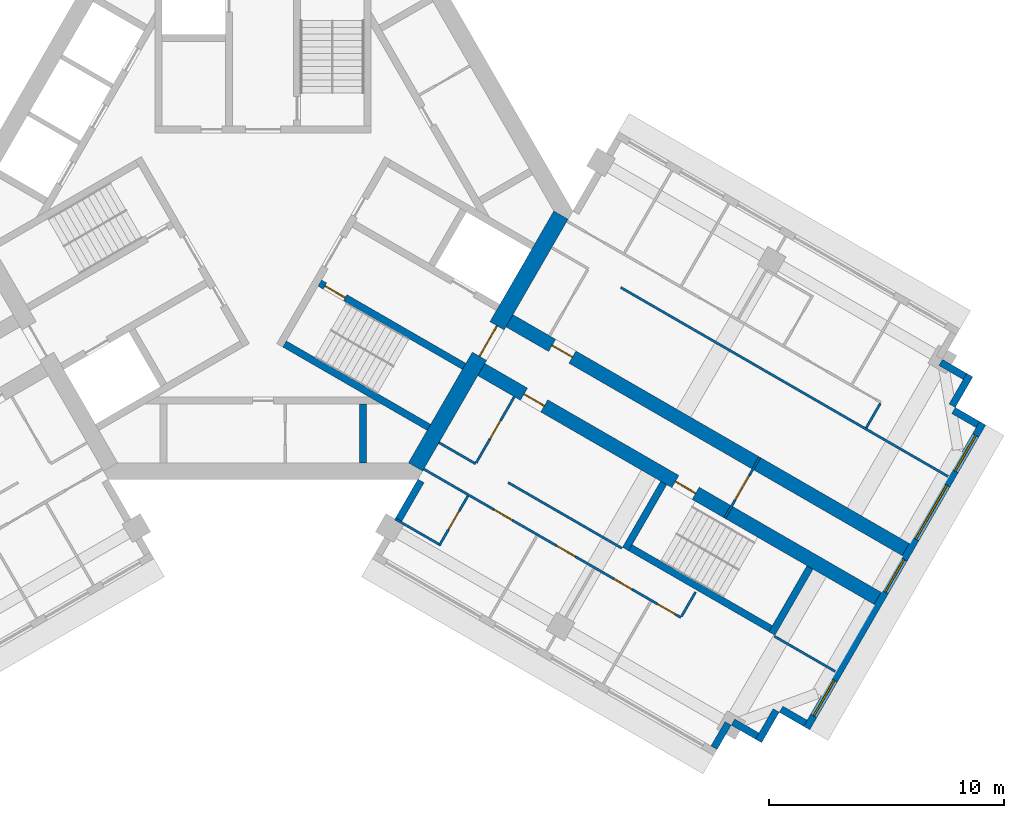
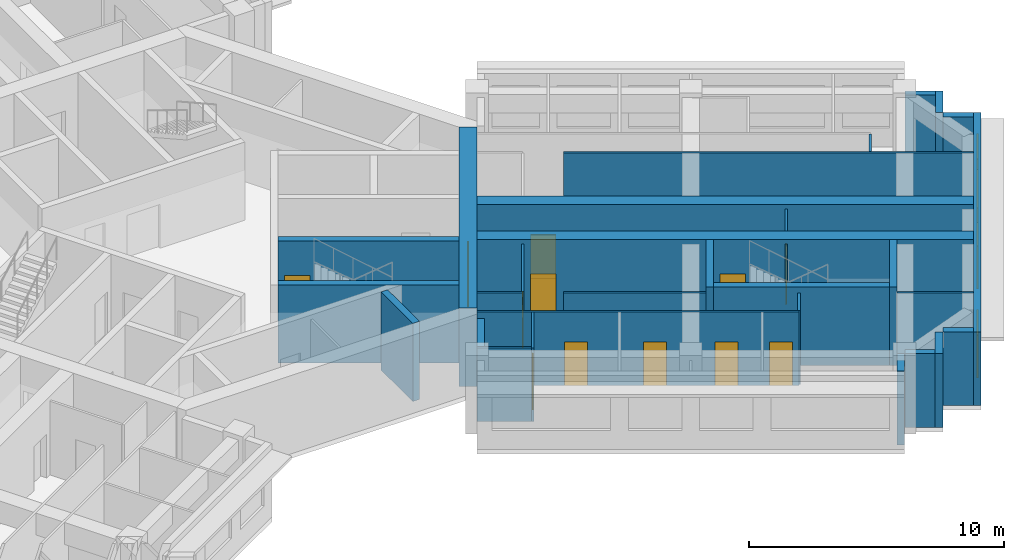
# One storey, part 5 of 10: 29 walls, 12 doors, 4 windows, 16 openings.
"""IFC4 building model written with IfcOpenShell, lengths in metres."""

from ifc_helpers import new_model, si_unit, direction, frame, frame_2d, origin, place, context, subcontext, project, spatial, rectangle, extrude, material, layer, layer_set, type_object, element, fill, save


model = new_model("IFC4")

# Units and contexts
model_context = context("Model", 3, precision=1e-05, world=origin(), true_north=direction((0.0, 1.0)))
body_context = subcontext(model_context, "Body", "Model", "MODEL_VIEW")
ifc_project = project(units=[si_unit("LENGTHUNIT", "METRE"), si_unit("AREAUNIT", "SQUARE_METRE"), si_unit("VOLUMEUNIT", "CUBIC_METRE"), si_unit("PLANEANGLEUNIT", "RADIAN"), si_unit("MASSUNIT", "GRAM", prefix="KILO")], contexts=[model_context])

# Site, building, storey
site_placement = place(None, origin())
site = spatial("IfcSite", under=ifc_project, at=site_placement, CompositionType="ELEMENT")
building_placement = place(site_placement, origin())
building = spatial("IfcBuilding", under=site, at=building_placement, Name="Impinga Residences", CompositionType="ELEMENT")
storey_placement = place(building_placement, frame((0.0, 0.0, 267.25)))
storey = spatial("IfcBuildingStorey", under=building, at=storey_placement, Name="L67", CompositionType="ELEMENT", Elevation=267.25)

# Wall, opening, door
ifc_material_1 = material(Name="Concrete C60/75", Category="concrete")
ifc_layer_1 = layer(ifc_material_1, 0.60009765625)
ifc_layer_set_1 = layer_set([ifc_layer_1], Name="Concrete C60/75")
wall_type_1 = type_object("IfcWallType", Name="BW3 corridor buttress wall, L46 to L73 600", PredefinedType="SHEAR", material=ifc_layer_set_1)
wall_1_placement = place(storey_placement, frame((10.19677734375, -4.50146484375, 0.0), z_axis=(0.0, 0.0, 1.0), x_axis=(0.866025214745, -0.500000327426, 0.0)))
wall_1 = element("IfcWall", 1, at=wall_1_placement, inside=storey, type_object=wall_type_1, Name="Corridor wall BW3 EC L67", PredefinedType="SHEAR", context=body_context, shape_type="SweptSolid", body=[
    extrude(rectangle(XDim=19.85009765625, YDim=0.60009765625, at=frame_2d((9.925048828125, 0.0))), origin(), (0.0, 0.0, 1.0), 3.75),
])
opening_1_placement = place(wall_1_placement, frame((2.449951171875, 0.0, 0.0)))
opening_1 = element("IfcOpeningElement", 2, at=opening_1_placement, cuts=wall_1, Name="Opening D1", PredefinedType="OPENING", context=body_context, shape_type="SweptSolid", body=[
    extrude(rectangle(XDim=1.0, YDim=2.10009765625, at=frame_2d((0.5, 1.050048828125))), frame((0.0, 0.31005859375, 0.0), z_axis=(0.0, -1.0, 0.0), x_axis=(1.0, 0.0, 0.0)), (0.0, 0.0, 1.0), 0.6201171875),
])
ifc_material_2 = material(Name="Timber door set", Category="wood")
door_type_1 = type_object("IfcDoorType", Name="D1 apartment entrance door 1000x2100", OperationType="SINGLE_SWING_LEFT", PredefinedType="DOOR", material=ifc_material_2)
door_1_placement = place(opening_1_placement, origin())
door_1 = element("IfcDoor", 3, at=door_1_placement, inside=storey, type_object=door_type_1, Name="Apartment L67-EA1 entrance", OperationType="SINGLE_SWING_LEFT", OverallHeight=2.10009765625, OverallWidth=1.0, PredefinedType="DOOR", context=body_context, shape_type="SweptSolid", body=[
    extrude(rectangle(XDim=1.0, YDim=2.10009765625, at=frame_2d((0.5, 1.050048828125))), frame((0.0, 0.02490234375, 0.0), z_axis=(0.0, -1.0, 0.0), x_axis=(1.0, 0.0, 0.0)), (0.0, 0.0, 1.0), 0.050048828125),
])
fill(opening_1, door_1)

# Wall, openings, doors
wall_2_placement = place(storey_placement, frame((8.996826171875, -6.580078125, 0.0), z_axis=(0.0, 0.0, 1.0), x_axis=(0.866030540451, -0.499991102927, 0.0)))
wall_2 = element("IfcWall", 4, at=wall_2_placement, inside=storey, type_object=wall_type_1, Name="Corridor wall BW3 ED L67", PredefinedType="SHEAR", context=body_context, shape_type="SweptSolid", body=[
    extrude(rectangle(XDim=19.849853515625, YDim=0.60009765625, at=frame_2d((9.9248046875, 0.0))), origin(), (0.0, 0.0, 1.0), 3.75),
])
opening_2_placement = place(wall_2_placement, frame((9.89990234375, 0.0, 0.0)))
opening_2 = element("IfcOpeningElement", 5, at=opening_2_placement, cuts=wall_2, Name="Opening D5", PredefinedType="OPENING", context=body_context, shape_type="SweptSolid", body=[
    extrude(rectangle(XDim=1.0, YDim=2.10009765625, at=frame_2d((0.5, 1.050048828125))), frame((0.0, 0.31005859375, 0.0), z_axis=(0.0, -1.0, 0.0), x_axis=(1.0, 0.0, 0.0)), (0.0, 0.0, 1.0), 0.6201171875),
])
opening_3_placement = place(wall_2_placement, frame((2.449951171875, 0.0, 0.0)))
opening_3 = element("IfcOpeningElement", 6, at=opening_3_placement, cuts=wall_2, Name="Opening D1", PredefinedType="OPENING", context=body_context, shape_type="SweptSolid", body=[
    extrude(rectangle(XDim=1.0, YDim=2.10009765625, at=frame_2d((0.5, 1.050048828125))), frame((0.0, 0.31005859375, 0.0), z_axis=(0.0, -1.0, 0.0), x_axis=(1.0, 0.0, 0.0)), (0.0, 0.0, 1.0), 0.6201171875),
])
door_2_placement = place(opening_3_placement, origin())
door_2 = element("IfcDoor", 7, at=door_2_placement, inside=storey, type_object=door_type_1, Name="Apartment L67-EF1 entrance", OperationType="SINGLE_SWING_LEFT", OverallHeight=2.10009765625, OverallWidth=1.0, PredefinedType="DOOR", context=body_context, shape_type="SweptSolid", body=[
    extrude(rectangle(XDim=1.0, YDim=2.10009765625, at=frame_2d((0.5, 1.050048828125))), frame((0.0, 0.02490234375, 0.0), z_axis=(0.0, -1.0, 0.0), x_axis=(1.0, 0.0, 0.0)), (0.0, 0.0, 1.0), 0.050048828125),
])
fill(opening_3, door_2)
door_type_2 = type_object("IfcDoorType", Name="D5 stair door 1000x2100", OperationType="SINGLE_SWING_LEFT", PredefinedType="DOOR", material=ifc_material_2)
door_3_placement = place(opening_2_placement, origin())
door_3 = element("IfcDoor", 8, at=door_3_placement, inside=storey, type_object=door_type_2, Name="Wing stair door E", OperationType="SINGLE_SWING_RIGHT", OverallHeight=2.10009765625, OverallWidth=1.0, PredefinedType="DOOR", context=body_context, shape_type="SweptSolid", body=[
    extrude(rectangle(XDim=1.0, YDim=2.10009765625, at=frame_2d((0.5, 1.050048828125))), frame((0.0, 0.02490234375, 0.0), z_axis=(0.0, -1.0, 0.0), x_axis=(1.0, 0.0, 0.0)), (0.0, 0.0, 1.0), 0.050048828125),
])
fill(opening_2, door_3)

# Wall, opening, door
ifc_material_3 = material(Name="Concrete blockwork", Category="masonry")
ifc_layer_2 = layer(ifc_material_3, 0.10009765625)
ifc_layer_set_2 = layer_set([ifc_layer_2], Name="CP1 core room partition, blockwork 100")
wall_type_2 = type_object("IfcWallType", Name="CP1 core room partition, blockwork 100", PredefinedType="PARTITIONING", material=ifc_layer_set_2)
wall_3_placement = place(storey_placement, frame((21.172119140625, -10.49169921875, 0.0), z_axis=(0.0, 0.0, 1.0), x_axis=(-0.499990139034, -0.866031096941, 0.0)))
wall_3 = element("IfcWall", 9, at=wall_3_placement, inside=storey, type_object=wall_type_2, Name="Core room partition, blockwork L67:E:LNG", PredefinedType="PARTITIONING", context=body_context, shape_type="SweptSolid", body=[
    extrude(rectangle(XDim=3.0, YDim=0.10009765625, at=frame_2d((1.5, 0.0))), origin(), (0.0, 0.0, 1.0), 3.530029296875),
])
opening_4_placement = place(wall_3_placement, frame((0.89990234375, 0.0, 0.0)))
opening_4 = element("IfcOpeningElement", 10, at=opening_4_placement, cuts=wall_3, Name="Opening D3", PredefinedType="OPENING", context=body_context, shape_type="SweptSolid", body=[
    extrude(rectangle(XDim=1.199951171875, YDim=2.10009765625, at=frame_2d((0.60009765625, 1.050048828125))), frame((0.0, 0.06005859375, 0.0), z_axis=(0.0, -1.0, 0.0), x_axis=(1.0, 0.0, 0.0)), (0.0, 0.0, 1.0), 0.1201171875),
])
door_type_3 = type_object("IfcDoorType", Name="D3 room door, leaf and a half 1200x2100", OperationType="DOUBLE_SWING_LEFT", PredefinedType="DOOR", material=ifc_material_2)
door_4_placement = place(opening_4_placement, origin())
door_4 = element("IfcDoor", 11, at=door_4_placement, inside=storey, type_object=door_type_3, Name="Residents' lounge door E", OperationType="DOUBLE_SWING_LEFT", OverallHeight=2.10009765625, OverallWidth=1.199951171875, PredefinedType="DOOR", context=body_context, shape_type="SweptSolid", body=[
    extrude(rectangle(XDim=1.199951171875, YDim=2.10009765625, at=frame_2d((0.60009765625, 1.050048828125))), frame((0.0, 0.02490234375, 0.0), z_axis=(0.0, -1.0, 0.0), x_axis=(1.0, 0.0, 0.0)), (0.0, 0.0, 1.0), 0.050048828125),
])
fill(opening_4, door_4)

# Walls
ifc_material_4 = material(Name="Terracotta rainscreen on blockwork", Category="masonry")
ifc_layer_3 = layer(ifc_material_4, 0.300048828125)
ifc_layer_set_3 = layer_set([ifc_layer_3], Name="EW1 external wall, terracotta rainscreen on blockwork 300")
wall_type_3 = type_object("IfcWallType", Name="EW1 external wall, terracotta rainscreen on blockwork 300", PredefinedType="SOLIDWALL", material=ifc_layer_set_3)
wall_4_placement = place(storey_placement, frame((28.878662109375, -6.453857421875, 0.0), z_axis=(0.0, 0.0, 1.0), x_axis=(0.865971243484, -0.500093796661, 0.0)))
element("IfcWall", 12, at=wall_4_placement, inside=storey, type_object=wall_type_3, Name="External wall EW1 L67", PredefinedType="SOLIDWALL", context=body_context, shape_type="SweptSolid", body=[
    extrude(rectangle(XDim=1.195068359375, YDim=0.300048828125, at=frame_2d((0.59765625, 0.0))), origin(), (0.0, 0.0, 1.0), 3.530029296875),
])
wall_5_placement = place(storey_placement, frame((30.118408203125, -6.99658203125, 0.0), z_axis=(0.0, 0.0, 1.0), x_axis=(-0.499990139034, -0.866031096941, 0.0)))
element("IfcWall", 13, at=wall_5_placement, inside=storey, type_object=wall_type_3, Name="External wall EW1 L67", PredefinedType="SOLIDWALL", context=body_context, shape_type="SweptSolid", body=[
    extrude(rectangle(XDim=1.5, YDim=0.300048828125, at=frame_2d((0.75, 0.0))), origin(), (0.0, 0.0, 1.0), 3.530029296875),
])
wall_6_placement = place(storey_placement, frame((29.427490234375, -8.5029296875, 0.0), z_axis=(0.0, 0.0, 1.0), x_axis=(0.865971243484, -0.500093796661, 0.0)))
element("IfcWall", 14, at=wall_6_placement, inside=storey, type_object=wall_type_3, Name="External wall EW1 L67", PredefinedType="SOLIDWALL", context=body_context, shape_type="SweptSolid", body=[
    extrude(rectangle(XDim=1.195068359375, YDim=0.300048828125, at=frame_2d((0.59765625, 0.0))), origin(), (0.0, 0.0, 1.0), 3.530029296875),
])

# Wall, openings, windows
wall_7_placement = place(storey_placement, frame((30.66748046875, -9.045654296875, 0.0), z_axis=(0.0, 0.0, 1.0), x_axis=(-0.500004234368, -0.866022959057, 0.0)))
wall_7 = element("IfcWall", 15, at=wall_7_placement, inside=storey, type_object=wall_type_3, Name="External wall EW1 L67", PredefinedType="SOLIDWALL", context=body_context, shape_type="SweptSolid", body=[
    extrude(rectangle(XDim=14.999755859375, YDim=0.300048828125, at=frame_2d((7.5, 0.0))), origin(), (0.0, 0.0, 1.0), 3.530029296875),
])
opening_5_placement = place(wall_7_placement, frame((0.60009765625, 0.0, 0.89990234375)))
opening_5 = element("IfcOpeningElement", 16, at=opening_5_placement, cuts=wall_7, Name="Opening W1", PredefinedType="OPENING", context=body_context, shape_type="SweptSolid", body=[
    extrude(rectangle(XDim=1.75, YDim=2.050048828125, at=frame_2d((0.875, 1.02490234375))), frame((0.0, 0.159912109375, 0.0), z_axis=(0.0, -1.0, 0.0), x_axis=(1.0, 0.0, 0.0)), (0.0, 0.0, 1.0), 0.320068359375),
])
opening_6_placement = place(wall_7_placement, frame((3.050048828125, 0.0, 0.89990234375)))
opening_6 = element("IfcOpeningElement", 17, at=opening_6_placement, cuts=wall_7, Name="Opening W18", PredefinedType="OPENING", context=body_context, shape_type="SweptSolid", body=[
    extrude(rectangle(XDim=2.64990234375, YDim=2.050048828125, at=frame_2d((1.324951171875, 1.02490234375))), frame((0.0, 0.159912109375, 0.0), z_axis=(0.0, -1.0, 0.0), x_axis=(1.0, 0.0, 0.0)), (0.0, 0.0, 1.0), 0.320068359375),
])
opening_7_placement = place(wall_7_placement, frame((6.699951171875, 0.0, 0.89990234375)))
opening_7 = element("IfcOpeningElement", 18, at=opening_7_placement, cuts=wall_7, Name="Opening W19", PredefinedType="OPENING", context=body_context, shape_type="SweptSolid", body=[
    extrude(rectangle(XDim=1.60009765625, YDim=2.050048828125, at=frame_2d((0.800048828125, 1.02490234375))), frame((0.0, 0.159912109375, 0.0), z_axis=(0.0, -1.0, 0.0), x_axis=(1.0, 0.0, 0.0)), (0.0, 0.0, 1.0), 0.320068359375),
])
opening_8_placement = place(wall_7_placement, frame((12.64990234375, 0.0, 0.89990234375)))
opening_8 = element("IfcOpeningElement", 19, at=opening_8_placement, cuts=wall_7, Name="Opening W1", PredefinedType="OPENING", context=body_context, shape_type="SweptSolid", body=[
    extrude(rectangle(XDim=1.75, YDim=2.050048828125, at=frame_2d((0.875, 1.02490234375))), frame((0.0, 0.159912109375, 0.0), z_axis=(0.0, -1.0, 0.0), x_axis=(1.0, 0.0, 0.0)), (0.0, 0.0, 1.0), 0.320068359375),
])
ifc_material_5 = material(Name="Aluminium window, clear double glazing", Category="aluminium")
window_type_1 = type_object("IfcWindowType", Name="W1 ribbon window 1750x2050", PartitioningType="SINGLE_PANEL", PredefinedType="WINDOW", material=ifc_material_5)
window_1_placement = place(opening_5_placement, origin())
window_1 = element("IfcWindow", 20, at=window_1_placement, inside=storey, type_object=window_type_1, Name="Window L67", OverallHeight=2.050048828125, OverallWidth=1.75, PartitioningType="SINGLE_PANEL", PredefinedType="WINDOW", context=body_context, shape_type="SweptSolid", body=[
    extrude(rectangle(XDim=1.75, YDim=2.050048828125, at=frame_2d((0.875, 1.02490234375))), frame((0.0, 0.030029296875, 0.0), z_axis=(0.0, -1.0, 0.0), x_axis=(1.0, 0.0, 0.0)), (0.0, 0.0, 1.0), 0.06005859375),
])
fill(opening_5, window_1)
window_2_placement = place(opening_8_placement, origin())
window_2 = element("IfcWindow", 21, at=window_2_placement, inside=storey, type_object=window_type_1, Name="Window L67", OverallHeight=2.050048828125, OverallWidth=1.75, PartitioningType="SINGLE_PANEL", PredefinedType="WINDOW", context=body_context, shape_type="SweptSolid", body=[
    extrude(rectangle(XDim=1.75, YDim=2.050048828125, at=frame_2d((0.875, 1.02490234375))), frame((0.0, 0.030029296875, 0.0), z_axis=(0.0, -1.0, 0.0), x_axis=(1.0, 0.0, 0.0)), (0.0, 0.0, 1.0), 0.06005859375),
])
fill(opening_8, window_2)
window_type_2 = type_object("IfcWindowType", Name="W18 ribbon window 2650x2050", PartitioningType="SINGLE_PANEL", PredefinedType="WINDOW", material=ifc_material_5)
window_3_placement = place(opening_6_placement, origin())
window_3 = element("IfcWindow", 22, at=window_3_placement, inside=storey, type_object=window_type_2, Name="Window L67", OverallHeight=2.050048828125, OverallWidth=2.64990234375, PartitioningType="SINGLE_PANEL", PredefinedType="WINDOW", context=body_context, shape_type="SweptSolid", body=[
    extrude(rectangle(XDim=2.64990234375, YDim=2.050048828125, at=frame_2d((1.324951171875, 1.02490234375))), frame((0.0, 0.030029296875, 0.0), z_axis=(0.0, -1.0, 0.0), x_axis=(1.0, 0.0, 0.0)), (0.0, 0.0, 1.0), 0.06005859375),
])
fill(opening_6, window_3)
window_type_3 = type_object("IfcWindowType", Name="W19 ribbon window 1600x2050", PartitioningType="SINGLE_PANEL", PredefinedType="WINDOW", material=ifc_material_5)
window_4_placement = place(opening_7_placement, origin())
window_4 = element("IfcWindow", 23, at=window_4_placement, inside=storey, type_object=window_type_3, Name="Window L67", OverallHeight=2.050048828125, OverallWidth=1.60009765625, PartitioningType="SINGLE_PANEL", PredefinedType="WINDOW", context=body_context, shape_type="SweptSolid", body=[
    extrude(rectangle(XDim=1.60009765625, YDim=2.050048828125, at=frame_2d((0.800048828125, 1.02490234375))), frame((0.0, 0.030029296875, 0.0), z_axis=(0.0, -1.0, 0.0), x_axis=(1.0, 0.0, 0.0)), (0.0, 0.0, 1.0), 0.06005859375),
])
fill(opening_7, window_4)

# Walls
wall_8_placement = place(storey_placement, frame((23.112548828125, -21.8310546875, 0.0), z_axis=(0.0, 0.0, 1.0), x_axis=(-0.866059708757, 0.499940577336, 0.0)))
element("IfcWall", 24, at=wall_8_placement, inside=storey, type_object=wall_type_3, Name="External wall EW1 L67", PredefinedType="SOLIDWALL", context=body_context, shape_type="SweptSolid", body=[
    extrude(rectangle(XDim=1.195068359375, YDim=0.300048828125, at=frame_2d((0.59765625, 0.0))), origin(), (0.0, 0.0, 1.0), 3.530029296875),
])
wall_9_placement = place(storey_placement, frame((21.868408203125, -21.285888671875, 0.0), z_axis=(0.0, 0.0, 1.0), x_axis=(-0.499990139034, -0.866031096941, 0.0)))
element("IfcWall", 25, at=wall_9_placement, inside=storey, type_object=wall_type_3, Name="External wall EW1 L67", PredefinedType="SOLIDWALL", context=body_context, shape_type="SweptSolid", body=[
    extrude(rectangle(XDim=1.5, YDim=0.300048828125, at=frame_2d((0.75, 0.0))), origin(), (0.0, 0.0, 1.0), 3.530029296875),
])
wall_10_placement = place(storey_placement, frame((21.0634765625, -22.380126953125, 0.0), z_axis=(0.0, 0.0, 1.0), x_axis=(-0.865971243484, 0.500093796661, 0.0)))
element("IfcWall", 26, at=wall_10_placement, inside=storey, type_object=wall_type_3, Name="External wall EW1 L67", PredefinedType="SOLIDWALL", context=body_context, shape_type="SweptSolid", body=[
    extrude(rectangle(XDim=1.195068359375, YDim=0.300048828125, at=frame_2d((0.59765625, 0.0))), origin(), (0.0, 0.0, 1.0), 3.530029296875),
])
wall_11_placement = place(storey_placement, frame((19.8193359375, -21.8349609375, 0.0), z_axis=(0.0, 0.0, 1.0), x_axis=(-0.500033551112, -0.866006032174, 0.0)))
element("IfcWall", 27, at=wall_11_placement, inside=storey, type_object=wall_type_3, Name="External wall EW1 L67", PredefinedType="SOLIDWALL", context=body_context, shape_type="SweptSolid", body=[
    extrude(rectangle(XDim=1.2001953125, YDim=0.300048828125, at=frame_2d((0.60009765625, 0.0))), origin(), (0.0, 0.0, 1.0), 3.530029296875),
])
wall_12_placement = place(storey_placement, frame((5.7548828125, -13.1953125, 0.0), z_axis=(0.0, 0.0, 1.0), x_axis=(0.500043961785, 0.866000020948, 0.0)))
element("IfcWall", 28, at=wall_12_placement, inside=storey, type_object=wall_type_3, Name="External wall EW1 L67", PredefinedType="SOLIDWALL", context=body_context, shape_type="SweptSolid", body=[
    extrude(rectangle(XDim=1.949951171875, YDim=0.300048828125, at=frame_2d((0.97509765625, 0.0))), origin(), (0.0, 0.0, 1.0), 3.530029296875),
])
ifc_material_6 = material(Name="Gypsum board on steel studs", Category="steel")
ifc_layer_4 = layer(ifc_material_6, 0.10009765625)
ifc_layer_set_4 = layer_set([ifc_layer_4], Name="Gypsum board on steel studs")
wall_type_4 = type_object("IfcWallType", Name="IP1 partition 100", PredefinedType="PARTITIONING", material=ifc_layer_set_4)
wall_13_placement = place(storey_placement, frame((15.244384765625, -3.2587890625, 0.0), z_axis=(0.0, 0.0, 1.0), x_axis=(0.866025740127, -0.499999417437, 0.0)))
element("IfcWall", 29, at=wall_13_placement, inside=storey, type_object=wall_type_4, Name="Partition L67-EA1:DIV1", PredefinedType="PARTITIONING", context=body_context, shape_type="SweptSolid", body=[
    extrude(rectangle(XDim=16.10009765625, YDim=0.10009765625, at=frame_2d((8.050048828125, 0.0))), origin(), (0.0, 0.0, 1.0), 3.530029296875),
])
wall_14_placement = place(storey_placement, frame((25.705078125, -9.240478515625, 0.0), z_axis=(0.0, 0.0, 1.0), x_axis=(0.50012165622, 0.865955154139, 0.0)))
element("IfcWall", 30, at=wall_14_placement, inside=storey, type_object=wall_type_4, Name="Partition L67-EA1:SE1", PredefinedType="PARTITIONING", context=body_context, shape_type="SweptSolid", body=[
    extrude(rectangle(XDim=1.199951171875, YDim=0.10009765625, at=frame_2d((0.60009765625, 0.0))), origin(), (0.0, 0.0, 1.0), 3.530029296875),
])
wall_15_placement = place(storey_placement, frame((7.5, -9.872802734375, 0.0), z_axis=(0.0, 0.0, 1.0), x_axis=(0.866047807691, -0.499961193289, 0.0)))
element("IfcWall", 31, at=wall_15_placement, inside=storey, type_object=wall_type_4, Name="Partition L67-EF1:DIV0", PredefinedType="PARTITIONING", context=body_context, shape_type="SweptSolid", body=[
    extrude(rectangle(XDim=1.800048828125, YDim=0.10009765625, at=frame_2d((0.89990234375, 0.0))), origin(), (0.0, 0.0, 1.0), 3.530029296875),
])
wall_16_placement = place(storey_placement, frame((10.444580078125, -11.57275390625, 0.0), z_axis=(0.0, 0.0, 1.0), x_axis=(0.866015695474, -0.500016814911, 0.0)))
element("IfcWall", 32, at=wall_16_placement, inside=storey, type_object=wall_type_4, Name="Partition L67-EF1:DIV1", PredefinedType="PARTITIONING", context=body_context, shape_type="SweptSolid", body=[
    extrude(rectangle(XDim=5.599853515625, YDim=0.10009765625, at=frame_2d((2.7998046875, 0.0))), origin(), (0.0, 0.0, 1.0), 3.530029296875),
])
wall_17_placement = place(storey_placement, frame((21.789306640625, -18.122802734375, 0.0), z_axis=(0.0, 0.0, 1.0), x_axis=(0.866031096941, -0.499990139034, 0.0)))
element("IfcWall", 33, at=wall_17_placement, inside=storey, type_object=wall_type_4, Name="Partition L67-EF1:DIV2", PredefinedType="PARTITIONING", context=body_context, shape_type="SweptSolid", body=[
    extrude(rectangle(XDim=3.0, YDim=0.10009765625, at=frame_2d((1.5, 0.0))), origin(), (0.0, 0.0, 1.0), 3.530029296875),
])

# Wall, openings, doors
wall_18_placement = place(storey_placement, frame((6.85009765625, -10.99853515625, 0.0), z_axis=(0.0, 0.0, 1.0), x_axis=(0.866024244478, -0.500002007972, 0.0)))
wall_18 = element("IfcWall", 34, at=wall_18_placement, inside=storey, type_object=wall_type_4, Name="Partition L67-EF1:STRIP", PredefinedType="PARTITIONING", context=body_context, shape_type="SweptSolid", body=[
    extrude(rectangle(XDim=12.64990234375, YDim=0.10009765625, at=frame_2d((6.324951171875, 0.0))), origin(), (0.0, 0.0, 1.0), 3.530029296875),
])
opening_9_placement = place(wall_18_placement, frame((3.449951171875, 0.0, 0.0)))
opening_9 = element("IfcOpeningElement", 35, at=opening_9_placement, cuts=wall_18, Name="Opening D2", PredefinedType="OPENING", context=body_context, shape_type="SweptSolid", body=[
    extrude(rectangle(XDim=0.89990234375, YDim=2.10009765625, at=frame_2d((0.449951171875, 1.050048828125))), frame((0.0, 0.06005859375, 0.0), z_axis=(0.0, -1.0, 0.0), x_axis=(1.0, 0.0, 0.0)), (0.0, 0.0, 1.0), 0.1201171875),
])
opening_10_placement = place(wall_18_placement, frame((6.550048828125, 0.0, 0.0)))
opening_10 = element("IfcOpeningElement", 36, at=opening_10_placement, cuts=wall_18, Name="Opening D2", PredefinedType="OPENING", context=body_context, shape_type="SweptSolid", body=[
    extrude(rectangle(XDim=0.89990234375, YDim=2.10009765625, at=frame_2d((0.449951171875, 1.050048828125))), frame((0.0, 0.06005859375, 0.0), z_axis=(0.0, -1.0, 0.0), x_axis=(1.0, 0.0, 0.0)), (0.0, 0.0, 1.0), 0.1201171875),
])
opening_11_placement = place(wall_18_placement, frame((9.35009765625, 0.0, 0.0)))
opening_11 = element("IfcOpeningElement", 37, at=opening_11_placement, cuts=wall_18, Name="Opening D2", PredefinedType="OPENING", context=body_context, shape_type="SweptSolid", body=[
    extrude(rectangle(XDim=0.89990234375, YDim=2.10009765625, at=frame_2d((0.449951171875, 1.050048828125))), frame((0.0, 0.06005859375, 0.0), z_axis=(0.0, -1.0, 0.0), x_axis=(1.0, 0.0, 0.0)), (0.0, 0.0, 1.0), 0.1201171875),
])
opening_12_placement = place(wall_18_placement, frame((11.5, 0.0, 0.0)))
opening_12 = element("IfcOpeningElement", 38, at=opening_12_placement, cuts=wall_18, Name="Opening D2", PredefinedType="OPENING", context=body_context, shape_type="SweptSolid", body=[
    extrude(rectangle(XDim=0.89990234375, YDim=2.10009765625, at=frame_2d((0.449951171875, 1.050048828125))), frame((0.0, 0.06005859375, 0.0), z_axis=(0.0, -1.0, 0.0), x_axis=(1.0, 0.0, 0.0)), (0.0, 0.0, 1.0), 0.1201171875),
])
door_type_4 = type_object("IfcDoorType", Name="D2 internal door 900x2100", OperationType="SINGLE_SWING_LEFT", PredefinedType="DOOR", material=ifc_material_2)
door_5_placement = place(opening_9_placement, origin())
door_5 = element("IfcDoor", 39, at=door_5_placement, inside=storey, type_object=door_type_4, Name="Apartment L67-EF1 room door", OperationType="SINGLE_SWING_LEFT", OverallHeight=2.10009765625, OverallWidth=0.89990234375, PredefinedType="DOOR", context=body_context, shape_type="SweptSolid", body=[
    extrude(rectangle(XDim=0.89990234375, YDim=2.10009765625, at=frame_2d((0.449951171875, 1.050048828125))), frame((0.0, 0.02490234375, 0.0), z_axis=(0.0, -1.0, 0.0), x_axis=(1.0, 0.0, 0.0)), (0.0, 0.0, 1.0), 0.050048828125),
])
fill(opening_9, door_5)
door_6_placement = place(opening_10_placement, origin())
door_6 = element("IfcDoor", 40, at=door_6_placement, inside=storey, type_object=door_type_4, Name="Apartment L67-EF1 room door", OperationType="SINGLE_SWING_RIGHT", OverallHeight=2.10009765625, OverallWidth=0.89990234375, PredefinedType="DOOR", context=body_context, shape_type="SweptSolid", body=[
    extrude(rectangle(XDim=0.89990234375, YDim=2.10009765625, at=frame_2d((0.449951171875, 1.050048828125))), frame((0.0, 0.02490234375, 0.0), z_axis=(0.0, -1.0, 0.0), x_axis=(1.0, 0.0, 0.0)), (0.0, 0.0, 1.0), 0.050048828125),
])
fill(opening_10, door_6)
door_7_placement = place(opening_11_placement, origin())
door_7 = element("IfcDoor", 41, at=door_7_placement, inside=storey, type_object=door_type_4, Name="Apartment L67-EF1 room door", OperationType="SINGLE_SWING_RIGHT", OverallHeight=2.10009765625, OverallWidth=0.89990234375, PredefinedType="DOOR", context=body_context, shape_type="SweptSolid", body=[
    extrude(rectangle(XDim=0.89990234375, YDim=2.10009765625, at=frame_2d((0.449951171875, 1.050048828125))), frame((0.0, 0.02490234375, 0.0), z_axis=(0.0, -1.0, 0.0), x_axis=(1.0, 0.0, 0.0)), (0.0, 0.0, 1.0), 0.050048828125),
])
fill(opening_11, door_7)
door_8_placement = place(opening_12_placement, origin())
door_8 = element("IfcDoor", 42, at=door_8_placement, inside=storey, type_object=door_type_4, Name="Apartment L67-EF1 room door", OperationType="SINGLE_SWING_RIGHT", OverallHeight=2.10009765625, OverallWidth=0.89990234375, PredefinedType="DOOR", context=body_context, shape_type="SweptSolid", body=[
    extrude(rectangle(XDim=0.89990234375, YDim=2.10009765625, at=frame_2d((0.449951171875, 1.050048828125))), frame((0.0, 0.02490234375, 0.0), z_axis=(0.0, -1.0, 0.0), x_axis=(1.0, 0.0, 0.0)), (0.0, 0.0, 1.0), 0.050048828125),
])
fill(opening_12, door_8)

# Wall
wall_19_placement = place(storey_placement, frame((18.43017578125, -16.240966796875, 0.0), z_axis=(0.0, 0.0, 1.0), x_axis=(-0.499880961361, -0.866094119867, 0.0)))
element("IfcWall", 43, at=wall_19_placement, inside=storey, type_object=wall_type_4, Name="Partition L67-EF1:SE1", PredefinedType="PARTITIONING", context=body_context, shape_type="SweptSolid", body=[
    extrude(rectangle(XDim=1.199951171875, YDim=0.10009765625, at=frame_2d((0.60009765625, 0.0))), origin(), (0.0, 0.0, 1.0), 3.530029296875),
])

# Wall, opening, door
wall_20_placement = place(storey_placement, frame((10.708740234375, -7.914794921875, 0.0), z_axis=(0.0, 0.0, 1.0), x_axis=(-0.499984717929, -0.866034226713, 0.0)))
wall_20 = element("IfcWall", 44, at=wall_20_placement, inside=storey, type_object=wall_type_4, Name="Partition L67-EF1:IB1", PredefinedType="PARTITIONING", context=body_context, shape_type="SweptSolid", body=[
    extrude(rectangle(XDim=3.25, YDim=0.10009765625, at=frame_2d((1.625, 0.0))), origin(), (0.0, 0.0, 1.0), 3.530029296875),
])
opening_13_placement = place(wall_20_placement, frame((1.175048828125, 0.0, 0.0)))
opening_13 = element("IfcOpeningElement", 45, at=opening_13_placement, cuts=wall_20, Name="Opening D2", PredefinedType="OPENING", context=body_context, shape_type="SweptSolid", body=[
    extrude(rectangle(XDim=0.89990234375, YDim=2.10009765625, at=frame_2d((0.449951171875, 1.050048828125))), frame((0.0, 0.06005859375, 0.0), z_axis=(0.0, -1.0, 0.0), x_axis=(1.0, 0.0, 0.0)), (0.0, 0.0, 1.0), 0.1201171875),
])
door_9_placement = place(opening_13_placement, origin())
door_9 = element("IfcDoor", 46, at=door_9_placement, inside=storey, type_object=door_type_4, Name="Apartment L67-EF1 bathroom door", OperationType="SINGLE_SWING_LEFT", OverallHeight=2.10009765625, OverallWidth=0.89990234375, PredefinedType="DOOR", context=body_context, shape_type="SweptSolid", body=[
    extrude(rectangle(XDim=0.89990234375, YDim=2.10009765625, at=frame_2d((0.449951171875, 1.050048828125))), frame((0.0, 0.02490234375, 0.0), z_axis=(0.0, -1.0, 0.0), x_axis=(1.0, 0.0, 0.0)), (0.0, 0.0, 1.0), 0.050048828125),
])
fill(opening_13, door_9)

wall_21_placement = place(storey_placement, frame((8.730224609375, -12.141845703125, 0.0), z_axis=(0.0, 0.0, 1.0), x_axis=(-0.499943856944, -0.866057815567, 0.0)))
wall_21 = element("IfcWall", 47, at=wall_21_placement, inside=storey, type_object=wall_type_4, Name="Partition L67-EF1:EN1", PredefinedType="PARTITIONING", context=body_context, shape_type="SweptSolid", body=[
    extrude(rectangle(XDim=2.449951171875, YDim=0.10009765625, at=frame_2d((1.22509765625, 0.0))), origin(), (0.0, 0.0, 1.0), 3.530029296875),
])
opening_14_placement = place(wall_21_placement, frame((0.75, 0.0, 0.0)))
opening_14 = element("IfcOpeningElement", 48, at=opening_14_placement, cuts=wall_21, Name="Opening D2", PredefinedType="OPENING", context=body_context, shape_type="SweptSolid", body=[
    extrude(rectangle(XDim=0.89990234375, YDim=2.10009765625, at=frame_2d((0.449951171875, 1.050048828125))), frame((0.0, 0.06005859375, 0.0), z_axis=(0.0, -1.0, 0.0), x_axis=(1.0, 0.0, 0.0)), (0.0, 0.0, 1.0), 0.1201171875),
])
door_10_placement = place(opening_14_placement, origin())
door_10 = element("IfcDoor", 49, at=door_10_placement, inside=storey, type_object=door_type_4, Name="Apartment L67-EF1 en-suite door", OperationType="SINGLE_SWING_LEFT", OverallHeight=2.10009765625, OverallWidth=0.89990234375, PredefinedType="DOOR", context=body_context, shape_type="SweptSolid", body=[
    extrude(rectangle(XDim=0.89990234375, YDim=2.10009765625, at=frame_2d((0.449951171875, 1.050048828125))), frame((0.0, 0.02490234375, 0.0), z_axis=(0.0, -1.0, 0.0), x_axis=(1.0, 0.0, 0.0)), (0.0, 0.0, 1.0), 0.050048828125),
])
fill(opening_14, door_10)

# Walls
wall_22_placement = place(storey_placement, frame((5.625, -13.120361328125, 0.0), z_axis=(0.0, 0.0, 1.0), x_axis=(0.866047553582, -0.499961633463, 0.0)))
element("IfcWall", 50, at=wall_22_placement, inside=storey, type_object=wall_type_4, Name="Partition L67-EF1:EN2", PredefinedType="PARTITIONING", context=body_context, shape_type="SweptSolid", body=[
    extrude(rectangle(XDim=2.150146484375, YDim=0.10009765625, at=frame_2d((1.0751953125, 0.0))), origin(), (0.0, 0.0, 1.0), 3.530029296875),
])
ifc_layer_5 = layer(ifc_material_1, 0.300048828125)
ifc_layer_set_5 = layer_set([ifc_layer_5], Name="Concrete C60/75")
wall_type_5 = type_object("IfcWallType", Name="SE1 wing stair enclosure wall 300", PredefinedType="SOLIDWALL", material=ifc_layer_set_5)
for number, where, z_axis, x_axis, name in (
    (51, (17.07421875, -11.58984375, 0.0), (0.0, 0.0, 1.0), (-0.500017246033, -0.866015446554, 0.0), "Stair enclosure wall SE1 E END0 L67"),
    (52, (23.3095703125, -15.189697265625, 0.0), (0.0, 0.0, 1.0), (-0.499984717929, -0.866034226713, 0.0), "Stair enclosure wall SE1 E END1 L67"),
):
    element("IfcWall", number, at=place(storey_placement, frame(where, z_axis=z_axis, x_axis=x_axis)), inside=storey, type_object=wall_type_5, Name=name, PredefinedType="SOLIDWALL", context=body_context, shape_type="SweptSolid", body=[
        extrude(rectangle(XDim=3.25, YDim=0.300048828125, at=frame_2d((1.625, 0.0))), origin(), (0.0, 0.0, 1.0), 3.75),
    ])
wall_23_placement = place(storey_placement, frame((15.654052734375, -14.349365234375, 0.0), z_axis=(0.0, 0.0, 1.0), x_axis=(0.866013532718, -0.500020560727, 0.0)))
element("IfcWall", 53, at=wall_23_placement, inside=storey, type_object=wall_type_5, Name="Stair enclosure wall SE1 E OUT L67", PredefinedType="SOLIDWALL", context=body_context, shape_type="SweptSolid", body=[
    extrude(rectangle(XDim=6.900146484375, YDim=0.300048828125, at=frame_2d((3.4501953125, 0.0))), origin(), (0.0, 0.0, 1.0), 3.75),
])

# Wall, opening, door
ifc_layer_6 = layer(ifc_material_1, 0.699951171875)
ifc_layer_set_6 = layer_set([ifc_layer_6], Name="Concrete C60/75")
wall_type_6 = type_object("IfcWallType", Name="SW3 core wall 700", PredefinedType="SHEAR", material=ifc_layer_set_6)
wall_24_placement = place(storey_placement, frame((12.69482421875, -0.175048828125, 0.0), z_axis=(0.0, 0.0, 1.0), x_axis=(-0.499999875397, -0.866025475724, 0.0)))
wall_24 = element("IfcWall", 54, at=wall_24_placement, inside=storey, type_object=wall_type_6, Name="Core wall SW3 E:FACE L67", PredefinedType="SHEAR", context=body_context, shape_type="SweptSolid", body=[
    extrude(rectangle(XDim=12.3916015625, YDim=0.699951171875, at=frame_2d((6.19580078125, 0.0))), origin(), (0.0, 0.0, 1.0), 3.75),
])
opening_15_placement = place(wall_24_placement, frame((5.44580078125, 0.0, 0.0)))
opening_15 = element("IfcOpeningElement", 55, at=opening_15_placement, cuts=wall_24, Name="Opening D4", PredefinedType="OPENING", context=body_context, shape_type="SweptSolid", body=[
    extrude(rectangle(XDim=1.5, YDim=2.10009765625, at=frame_2d((0.75, 1.050048828125))), frame((0.0, 0.35986328125, 0.0), z_axis=(0.0, -1.0, 0.0), x_axis=(1.0, 0.0, 0.0)), (0.0, 0.0, 1.0), 0.719970703125),
])
door_type_5 = type_object("IfcDoorType", Name="D4 lobby door pair 1500x2100", OperationType="DOUBLE_DOOR_DOUBLE_SWING", PredefinedType="DOOR", material=ifc_material_2)
door_11_placement = place(opening_15_placement, origin())
door_11 = element("IfcDoor", 56, at=door_11_placement, inside=storey, type_object=door_type_5, Name="Lobby door E", OperationType="DOUBLE_DOOR_DOUBLE_SWING", OverallHeight=2.10009765625, OverallWidth=1.5, PredefinedType="DOOR", context=body_context, shape_type="SweptSolid", body=[
    extrude(rectangle(XDim=1.5, YDim=2.10009765625, at=frame_2d((0.75, 1.050048828125))), frame((0.0, 0.02490234375, 0.0), z_axis=(0.0, -1.0, 0.0), x_axis=(1.0, 0.0, 0.0)), (0.0, 0.0, 1.0), 0.050048828125),
])
fill(opening_15, door_11)

ifc_material_7 = material(Name="Concrete C70/85", Category="concrete")
ifc_layer_7 = layer(ifc_material_7, 0.300048828125)
ifc_layer_set_7 = layer_set([ifc_layer_7], Name="Concrete C70/85")
wall_type_7 = type_object("IfcWallType", Name="SW5 core inner wall, stairs, shafts and lobbies 300", PredefinedType="SHEAR", material=ifc_layer_set_7)
wall_25_placement = place(storey_placement, frame((2.418701171875, -3.07080078125, 0.0), z_axis=(0.0, 0.0, 1.0), x_axis=(0.866025859768, -0.499999210213, 0.0)))
wall_25 = element("IfcWall", 57, at=wall_25_placement, inside=storey, type_object=wall_type_7, Name="Core wall SW5 E:ST-IN L67", PredefinedType="SHEAR", context=body_context, shape_type="SweptSolid", body=[
    extrude(rectangle(XDim=7.1015625, YDim=0.300048828125, at=frame_2d((3.55078125, 0.0))), origin(), (0.0, 0.0, 1.0), 3.75),
])
opening_16_placement = place(wall_25_placement, frame((0.25, 0.0, 0.0)))
opening_16 = element("IfcOpeningElement", 58, at=opening_16_placement, cuts=wall_25, Name="Opening D5", PredefinedType="OPENING", context=body_context, shape_type="SweptSolid", body=[
    extrude(rectangle(XDim=1.0, YDim=2.10009765625, at=frame_2d((0.5, 1.050048828125))), frame((0.0, 0.159912109375, 0.0), z_axis=(0.0, -1.0, 0.0), x_axis=(1.0, 0.0, 0.0)), (0.0, 0.0, 1.0), 0.320068359375),
])
door_12_placement = place(opening_16_placement, origin())
door_12 = element("IfcDoor", 59, at=door_12_placement, inside=storey, type_object=door_type_2, Name="Stair door E", OperationType="SINGLE_SWING_LEFT", OverallHeight=2.10009765625, OverallWidth=1.0, PredefinedType="DOOR", context=body_context, shape_type="SweptSolid", body=[
    extrude(rectangle(XDim=1.0, YDim=2.10009765625, at=frame_2d((0.5, 1.050048828125))), frame((0.0, 0.02490234375, 0.0), z_axis=(0.0, -1.0, 0.0), x_axis=(1.0, 0.0, 0.0)), (0.0, 0.0, 1.0), 0.050048828125),
])
fill(opening_16, door_12)

# Walls
wall_26_placement = place(storey_placement, frame((0.918701171875, -5.668701171875, 0.0), z_axis=(0.0, 0.0, 1.0), x_axis=(0.866025859768, -0.499999210213, 0.0)))
element("IfcWall", 60, at=wall_26_placement, inside=storey, type_object=wall_type_7, Name="Core wall SW5 E:ST-OUT L67", PredefinedType="SHEAR", context=body_context, shape_type="SweptSolid", body=[
    extrude(rectangle(XDim=7.1015625, YDim=0.300048828125, at=frame_2d((3.55078125, 0.0))), origin(), (0.0, 0.0, 1.0), 3.75),
])
wall_27_placement = place(storey_placement, frame((4.25, -8.2314453125, 0.0), z_axis=(0.0, 0.0, 1.0), x_axis=(0.0, -1.0, 0.0)))
element("IfcWall", 61, at=wall_27_placement, inside=storey, type_object=wall_type_7, Name="Core wall SW5 N:BANK-L L67", PredefinedType="SHEAR", context=body_context, shape_type="SweptSolid", body=[
    extrude(rectangle(XDim=2.5, YDim=0.300048828125, at=frame_2d((1.25, 0.0))), origin(), (0.0, 0.0, 1.0), 3.75),
])

save(model, "model.ifc")
